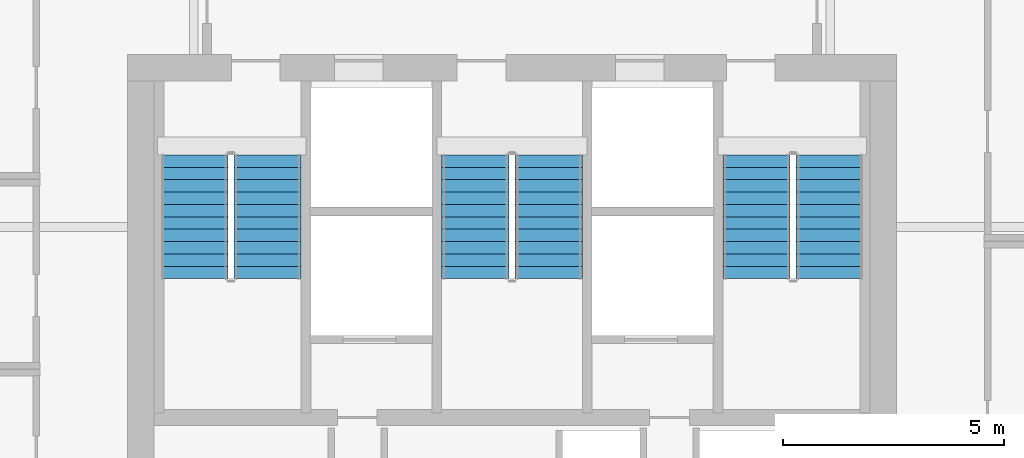
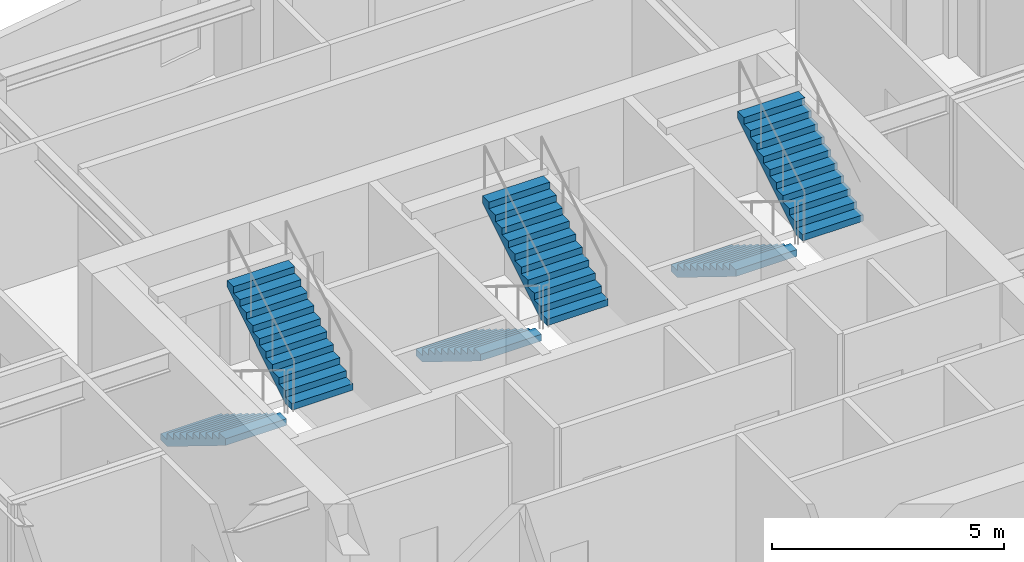
# One storey, part 9 of 10: 6 stair flights, 3 elements without a shape of their own.
"""IFC4 building model written with IfcOpenShell, lengths in metres."""

import ifcopenshell
import ifcopenshell.guid

model = None  # the IFC model being written
_history = None  # IfcOwnerHistory: only IFC2X3 demands one
_inside = {}  # id of a spatial element -> (the spatial element, [elements in it])
_under = {}  # id of a project, library or spatial element -> (it, [spatial elements below it])
_declared = {}  # id of a project -> (the project, [libraries it declares])
_typed = {}  # id of a type object -> (the type object, [elements of that type])
_made_of = {}  # id of a material, layer set ... -> (it, [elements and type objects made of it])


def new_model(schema):
    """Start an empty IFC model of exactly this schema.

    Asked for "IFC4X3", IfcOpenShell would pick the latest addendum, in which some entities
    have other attributes; the version numbers below select the first issue.
    IFC2X3 requires an IfcOwnerHistory on every rooted entity: one is made here for all.
    """
    global model, _history
    if schema == "IFC4X3":
        model = ifcopenshell.file(schema_version=(4, 3, 0, 0))
    else:
        model = ifcopenshell.file(schema=schema)
    _inside.clear()
    _under.clear()
    _declared.clear()
    _typed.clear()
    _made_of.clear()
    _history = None
    if model.schema == "IFC2X3":
        org = make("IfcOrganization", Name="unknown")
        user = make(
            "IfcPersonAndOrganization",
            ThePerson=make("IfcPerson", FamilyName="unknown"),
            TheOrganization=org,
        )
        app = make(
            "IfcApplication",
            ApplicationDeveloper=org,
            Version="unknown",
            ApplicationFullName="unknown",
            ApplicationIdentifier="unknown",
        )
        _history = make(
            "IfcOwnerHistory",
            OwningUser=user,
            OwningApplication=app,
            ChangeAction="ADDED",
            CreationDate=0,
        )
    return model


def make(cls, **values):
    """One entity of the class cls with the attributes given. An attribute that is None is left unset."""
    return model.create_entity(
        cls, **{name: value for name, value in values.items() if value is not None}
    )


def rooted(cls, **values):
    """An entity with a GlobalId (a new one), such as an element, a storey or a relation."""
    return make(cls, GlobalId=ifcopenshell.guid.new(), OwnerHistory=_history, **values)


def si_unit(unit_type, name, prefix=None):
    """IfcSIUnit, for example si_unit("LENGTHUNIT", "METRE", prefix="MILLI")."""
    return make("IfcSIUnit", UnitType=unit_type, Prefix=prefix, Name=name)


def assignment(units):
    """IfcUnitAssignment: the units of a project."""
    return None if units is None else make("IfcUnitAssignment", Units=units)


def point(xyz):
    """IfcCartesianPoint."""
    return None if xyz is None else make("IfcCartesianPoint", Coordinates=xyz)


def direction(xyz):
    """IfcDirection."""
    return None if xyz is None else make("IfcDirection", DirectionRatios=xyz)


def frame(location, z_axis=None, x_axis=None):
    """IfcAxis2Placement3D, a coordinate frame: its origin and axes. An axis left out is left unset."""
    return make(
        "IfcAxis2Placement3D",
        Location=point(location),
        Axis=direction(z_axis),
        RefDirection=direction(x_axis),
    )


def origin():
    """The frame at (0, 0, 0) with its axes left unset."""
    return frame((0.0, 0.0, 0.0))


def place(relative_to, where):
    """IfcLocalPlacement: puts the frame where relative to a parent placement (None: the world)."""
    return make(
        "IfcLocalPlacement", PlacementRelTo=relative_to, RelativePlacement=where
    )


def context(
    kind, dimensions, precision=None, world=None, true_north=None, identifier=None
):
    """IfcGeometricRepresentationContext, for example the 3D "Model" context."""
    return make(
        "IfcGeometricRepresentationContext",
        ContextIdentifier=identifier,
        ContextType=kind,
        CoordinateSpaceDimension=dimensions,
        Precision=precision,
        WorldCoordinateSystem=world,
        TrueNorth=true_north,
    )


def subcontext(parent, identifier, kind, view, scale=None):
    """IfcGeometricRepresentationSubContext, for example "Body" below "Model"."""
    return make(
        "IfcGeometricRepresentationSubContext",
        ContextIdentifier=identifier,
        ContextType=kind,
        ParentContext=parent,
        TargetScale=scale,
        TargetView=view,
    )


def project(units=None, contexts=None):
    """IfcProject with its units and contexts."""
    return rooted(
        "IfcProject",
        Name="project",
        RepresentationContexts=contexts,
        UnitsInContext=assignment(units),
    )


def spatial(cls, under=None, at=None, **own):
    """A site, building, storey or space (cls), placed at a placement, below another one or the project."""
    s = rooted(cls, ObjectPlacement=at, **own)
    if under is not None:
        _under.setdefault(under.id(), (under, []))[1].append(s)
    return s


def polyline(points):
    """IfcPolyline through the points."""
    return make("IfcPolyline", Points=[point(p) for p in points])


def outline(outer, holes=None, kind="AREA"):
    """IfcArbitraryClosedProfileDef: a profile drawn as a closed curve; with holes, ...WithVoids."""
    if holes is None:
        return make("IfcArbitraryClosedProfileDef", ProfileType=kind, OuterCurve=outer)
    return make(
        "IfcArbitraryProfileDefWithVoids",
        ProfileType=kind,
        OuterCurve=outer,
        InnerCurves=holes,
    )


def extrude(swept, where, along, depth):
    """IfcExtrudedAreaSolid: the profile swept, set in the frame where, extruded along a direction by depth."""
    return make(
        "IfcExtrudedAreaSolid",
        SweptArea=swept,
        Position=where,
        ExtrudedDirection=direction(along),
        Depth=depth,
    )


def shape(context_of_items, identifier, shape_type, items):
    """IfcShapeRepresentation: the items that make up one representation, for example the "Body"."""
    return make(
        "IfcShapeRepresentation",
        ContextOfItems=context_of_items,
        RepresentationIdentifier=identifier,
        RepresentationType=shape_type,
        Items=items,
    )


def material(Name=None, Category=None):
    """IfcMaterial."""
    return make("IfcMaterial", Name=Name, Category=Category)


def made_of(thing, what):
    """Note that an element or type object is made of a material, layer set ...; save() writes the relation."""
    if what is not None:
        _made_of.setdefault(what.id(), (what, []))[1].append(thing)
    return thing


def type_object(cls, material=None, **own):
    """A type object (cls), such as IfcWallType, which elements share."""
    return made_of(rooted(cls, **own), material)


def element(
    cls,
    number,
    at=None,
    inside=None,
    cuts=None,
    type_object=None,
    material=None,
    context=None,
    identifier="Body",
    shape_type=None,
    held_by="IfcProductDefinitionShape",
    body=None,
    shapes=None,
    **own,
):
    """One element of the class cls, such as IfcWall. Its Tag is "e" and its number.

    at: its placement. inside: the storey or other place that contains it. cuts: it is an
    opening in that element (IfcRelVoidsElement). A single representation is given by context,
    identifier, shape_type and body (its items); several are given by shapes. held_by: the class
    of the entity that holds the representations. save() writes the other relations.
    """
    e = rooted(cls, Tag="e%d" % number, ObjectPlacement=at, **own)
    if body is not None:
        shapes = [shape(context, identifier, shape_type, body)]
    if shapes is not None:
        e.Representation = make(held_by, Representations=shapes)
    if inside is not None:
        _inside.setdefault(inside.id(), (inside, []))[1].append(e)
    if cuts is not None:
        rooted(
            "IfcRelVoidsElement", RelatingBuildingElement=cuts, RelatedOpeningElement=e
        )
    if type_object is not None:
        _typed.setdefault(type_object.id(), (type_object, []))[1].append(e)
    return made_of(e, material)


def aggregate(whole, parts):
    """IfcRelAggregates: a whole, such as a stair, and the parts it consists of."""
    return rooted("IfcRelAggregates", RelatingObject=whole, RelatedObjects=parts)


def save(model, path):
    """Write the relations noted so far, then the file.

    IfcRelAggregates (storeys below a building ...), IfcRelContainedInSpatialStructure (elements
    in a storey), IfcRelDefinesByType, IfcRelAssociatesMaterial and IfcRelDeclares: one each for
    every whole, place, type object, material and project.
    """
    for whole, parts in _under.values():
        aggregate(whole, parts)
    for where, things in _inside.values():
        rooted(
            "IfcRelContainedInSpatialStructure",
            RelatedElements=things,
            RelatingStructure=where,
        )
    for kind, things in _typed.values():
        rooted("IfcRelDefinesByType", RelatedObjects=things, RelatingType=kind)
    for what, things in _made_of.values():
        rooted("IfcRelAssociatesMaterial", RelatedObjects=things, RelatingMaterial=what)
    for by, libraries in _declared.values():
        rooted("IfcRelDeclares", RelatingContext=by, RelatedDefinitions=libraries)
    model.write(path)


model = new_model("IFC4")

# Units and contexts
model_context = context("Model", 3, precision=1e-05, world=origin(), true_north=direction((0.0, 1.0)))
body_context = subcontext(model_context, "Body", "Model", "MODEL_VIEW")
ifc_project = project(units=[si_unit("LENGTHUNIT", "METRE"), si_unit("AREAUNIT", "SQUARE_METRE"), si_unit("VOLUMEUNIT", "CUBIC_METRE"), si_unit("PLANEANGLEUNIT", "RADIAN"), si_unit("MASSUNIT", "GRAM", prefix="KILO")], contexts=[model_context])

# Site, building, storey
site_placement = place(None, origin())
site = spatial("IfcSite", under=ifc_project, at=site_placement, CompositionType="ELEMENT")
building_placement = place(site_placement, origin())
building = spatial("IfcBuilding", under=site, at=building_placement, Name="Haolan Belvedere Tower", CompositionType="ELEMENT")
storey_placement = place(building_placement, frame((0.0, 0.0, 176.60009765625)))
storey = spatial("IfcBuildingStorey", under=building, at=storey_placement, Name="L44", CompositionType="ELEMENT", Elevation=176.60009765625)

# Stair, stair flights
ifc_material = material(Name="Concrete C40/50", Category="concrete")
stair_type = type_object("IfcStairType", Name="STR-DL-22R-173", PredefinedType="HALF_TURN_STAIR", material=ifc_material)
stair_1_placement = place(storey_placement, origin())
stair_1 = element("IfcStair", 1, at=stair_1_placement, inside=storey, type_object=stair_type, Name="L44 Smokeproof Core Exit Stair ST1", PredefinedType="HALF_TURN_STAIR")
stair_flight_type = type_object("IfcStairFlightType", Name="SFL-DL-11R-173", PredefinedType="STRAIGHT", material=ifc_material)
stair_flight_1_placement = place(storey_placement, frame((31.2099609375, 41.22998046875, 0.0), z_axis=(0.0, 0.0, 1.0), x_axis=(0.0, -1.0, 0.0)))
stair_flight_1 = element("IfcStairFlight", 2, at=stair_flight_1_placement, type_object=stair_flight_type, Name="ST1 flight 1", NumberOfRisers=11, NumberOfTreads=10, PredefinedType="STRAIGHT", RiserHeight=0.172727273, TreadLength=0.28, context=body_context, shape_type="SweptSolid", body=[
    extrude(outline(polyline([(0.0, 0.0), (0.0, 0.172607421875), (0.280029296875, 0.172607421875), (0.280029296875, 0.345458984375), (0.56005859375, 0.345458984375), (0.56005859375, 0.51806640625), (0.840087890625, 0.51806640625), (0.840087890625, 0.69091796875), (1.1201171875, 0.69091796875), (1.1201171875, 0.863525390625), (1.39990234375, 0.863525390625), (1.39990234375, 1.036376953125), (1.679931640625, 1.036376953125), (1.679931640625, 1.208984375), (1.9599609375, 1.208984375), (1.9599609375, 1.3818359375), (2.239990234375, 1.3818359375), (2.239990234375, 1.554443359375), (2.52001953125, 1.554443359375), (2.52001953125, 1.727294921875), (2.800048828125, 1.727294921875), (2.800048828125, 1.89990234375), (2.800048828125, 1.551025390625), (0.285400390625, 0.0), (0.0, 0.0)])), frame((0.0, 0.760009765625, 0.0), z_axis=(0.0, -1.0, 0.0), x_axis=(1.0, 0.0, 0.0)), (0.0, 0.0, 1.0), 1.52001953125),
])
stair_flight_2_placement = place(storey_placement, frame((32.8701171875, 38.429931640625, 1.89990234375), z_axis=(0.0, 0.0, 1.0), x_axis=(0.0, 1.0, 0.0)))
stair_flight_2 = element("IfcStairFlight", 3, at=stair_flight_2_placement, type_object=stair_flight_type, Name="ST1 flight 2", NumberOfRisers=11, NumberOfTreads=10, PredefinedType="STRAIGHT", RiserHeight=0.172727273, TreadLength=0.28, context=body_context, shape_type="SweptSolid", body=[
    extrude(outline(polyline([(0.0, 0.0), (0.0, 0.172607421875), (0.280029296875, 0.172607421875), (0.280029296875, 0.345458984375), (0.56005859375, 0.345458984375), (0.56005859375, 0.51806640625), (0.840087890625, 0.51806640625), (0.840087890625, 0.69091796875), (1.1201171875, 0.69091796875), (1.1201171875, 0.863525390625), (1.39990234375, 0.863525390625), (1.39990234375, 1.036376953125), (1.679931640625, 1.036376953125), (1.679931640625, 1.208984375), (1.9599609375, 1.208984375), (1.9599609375, 1.3818359375), (2.239990234375, 1.3818359375), (2.239990234375, 1.554443359375), (2.52001953125, 1.554443359375), (2.52001953125, 1.727294921875), (2.800048828125, 1.727294921875), (2.800048828125, 1.89990234375), (2.800048828125, 1.551025390625), (0.285400390625, 0.0), (0.0, 0.0)])), frame((0.0, 0.760009765625, 0.0), z_axis=(0.0, -1.0, 0.0), x_axis=(1.0, 0.0, 0.0)), (0.0, 0.0, 1.0), 1.52001953125),
])
aggregate(stair_1, [stair_flight_1, stair_flight_2])

stair_2_placement = place(storey_placement, origin())
stair_2 = element("IfcStair", 4, at=stair_2_placement, inside=storey, type_object=stair_type, Name="L44 Smokeproof Core Exit Stair ST3", PredefinedType="HALF_TURN_STAIR")
stair_flight_3_placement = place(storey_placement, frame((37.570068359375, 41.22998046875, 0.0), z_axis=(0.0, 0.0, 1.0), x_axis=(0.0, -1.0, 0.0)))
stair_flight_3 = element("IfcStairFlight", 5, at=stair_flight_3_placement, type_object=stair_flight_type, Name="ST3 flight 1", NumberOfRisers=11, NumberOfTreads=10, PredefinedType="STRAIGHT", RiserHeight=0.172727273, TreadLength=0.28, context=body_context, shape_type="SweptSolid", body=[
    extrude(outline(polyline([(0.0, 0.0), (0.0, 0.172607421875), (0.280029296875, 0.172607421875), (0.280029296875, 0.345458984375), (0.56005859375, 0.345458984375), (0.56005859375, 0.51806640625), (0.840087890625, 0.51806640625), (0.840087890625, 0.69091796875), (1.1201171875, 0.69091796875), (1.1201171875, 0.863525390625), (1.39990234375, 0.863525390625), (1.39990234375, 1.036376953125), (1.679931640625, 1.036376953125), (1.679931640625, 1.208984375), (1.9599609375, 1.208984375), (1.9599609375, 1.3818359375), (2.239990234375, 1.3818359375), (2.239990234375, 1.554443359375), (2.52001953125, 1.554443359375), (2.52001953125, 1.727294921875), (2.800048828125, 1.727294921875), (2.800048828125, 1.89990234375), (2.800048828125, 1.551025390625), (0.285400390625, 0.0), (0.0, 0.0)])), frame((0.0, 0.760009765625, 0.0), z_axis=(0.0, -1.0, 0.0), x_axis=(1.0, 0.0, 0.0)), (0.0, 0.0, 1.0), 1.52001953125),
])
stair_flight_4_placement = place(storey_placement, frame((39.22998046875, 38.429931640625, 1.89990234375), z_axis=(0.0, 0.0, 1.0), x_axis=(0.0, 1.0, 0.0)))
stair_flight_4 = element("IfcStairFlight", 6, at=stair_flight_4_placement, type_object=stair_flight_type, Name="ST3 flight 2", NumberOfRisers=11, NumberOfTreads=10, PredefinedType="STRAIGHT", RiserHeight=0.172727273, TreadLength=0.28, context=body_context, shape_type="SweptSolid", body=[
    extrude(outline(polyline([(0.0, 0.0), (0.0, 0.172607421875), (0.280029296875, 0.172607421875), (0.280029296875, 0.345458984375), (0.56005859375, 0.345458984375), (0.56005859375, 0.51806640625), (0.840087890625, 0.51806640625), (0.840087890625, 0.69091796875), (1.1201171875, 0.69091796875), (1.1201171875, 0.863525390625), (1.39990234375, 0.863525390625), (1.39990234375, 1.036376953125), (1.679931640625, 1.036376953125), (1.679931640625, 1.208984375), (1.9599609375, 1.208984375), (1.9599609375, 1.3818359375), (2.239990234375, 1.3818359375), (2.239990234375, 1.554443359375), (2.52001953125, 1.554443359375), (2.52001953125, 1.727294921875), (2.800048828125, 1.727294921875), (2.800048828125, 1.89990234375), (2.800048828125, 1.551025390625), (0.285400390625, 0.0), (0.0, 0.0)])), frame((0.0, 0.760009765625, 0.0), z_axis=(0.0, -1.0, 0.0), x_axis=(1.0, 0.0, 0.0)), (0.0, 0.0, 1.0), 1.52001953125),
])
aggregate(stair_2, [stair_flight_3, stair_flight_4])

stair_3_placement = place(storey_placement, origin())
stair_3 = element("IfcStair", 7, at=stair_3_placement, inside=storey, type_object=stair_type, Name="L44 Smokeproof Core Exit Stair ST2", PredefinedType="HALF_TURN_STAIR")
stair_flight_5_placement = place(storey_placement, frame((43.929931640625, 41.22998046875, 0.0), z_axis=(0.0, 0.0, 1.0), x_axis=(0.0, -1.0, 0.0)))
stair_flight_5 = element("IfcStairFlight", 8, at=stair_flight_5_placement, type_object=stair_flight_type, Name="ST2 flight 1", NumberOfRisers=11, NumberOfTreads=10, PredefinedType="STRAIGHT", RiserHeight=0.172727273, TreadLength=0.28, context=body_context, shape_type="SweptSolid", body=[
    extrude(outline(polyline([(0.0, 0.0), (0.0, 0.172607421875), (0.280029296875, 0.172607421875), (0.280029296875, 0.345458984375), (0.56005859375, 0.345458984375), (0.56005859375, 0.51806640625), (0.840087890625, 0.51806640625), (0.840087890625, 0.69091796875), (1.1201171875, 0.69091796875), (1.1201171875, 0.863525390625), (1.39990234375, 0.863525390625), (1.39990234375, 1.036376953125), (1.679931640625, 1.036376953125), (1.679931640625, 1.208984375), (1.9599609375, 1.208984375), (1.9599609375, 1.3818359375), (2.239990234375, 1.3818359375), (2.239990234375, 1.554443359375), (2.52001953125, 1.554443359375), (2.52001953125, 1.727294921875), (2.800048828125, 1.727294921875), (2.800048828125, 1.89990234375), (2.800048828125, 1.551025390625), (0.285400390625, 0.0), (0.0, 0.0)])), frame((0.0, 0.760009765625, 0.0), z_axis=(0.0, -1.0, 0.0), x_axis=(1.0, 0.0, 0.0)), (0.0, 0.0, 1.0), 1.52001953125),
])
stair_flight_6_placement = place(storey_placement, frame((45.590087890625, 38.429931640625, 1.89990234375), z_axis=(0.0, 0.0, 1.0), x_axis=(0.0, 1.0, 0.0)))
stair_flight_6 = element("IfcStairFlight", 9, at=stair_flight_6_placement, type_object=stair_flight_type, Name="ST2 flight 2", NumberOfRisers=11, NumberOfTreads=10, PredefinedType="STRAIGHT", RiserHeight=0.172727273, TreadLength=0.28, context=body_context, shape_type="SweptSolid", body=[
    extrude(outline(polyline([(0.0, 0.0), (0.0, 0.172607421875), (0.280029296875, 0.172607421875), (0.280029296875, 0.345458984375), (0.56005859375, 0.345458984375), (0.56005859375, 0.51806640625), (0.840087890625, 0.51806640625), (0.840087890625, 0.69091796875), (1.1201171875, 0.69091796875), (1.1201171875, 0.863525390625), (1.39990234375, 0.863525390625), (1.39990234375, 1.036376953125), (1.679931640625, 1.036376953125), (1.679931640625, 1.208984375), (1.9599609375, 1.208984375), (1.9599609375, 1.3818359375), (2.239990234375, 1.3818359375), (2.239990234375, 1.554443359375), (2.52001953125, 1.554443359375), (2.52001953125, 1.727294921875), (2.800048828125, 1.727294921875), (2.800048828125, 1.89990234375), (2.800048828125, 1.551025390625), (0.285400390625, 0.0), (0.0, 0.0)])), frame((0.0, 0.760009765625, 0.0), z_axis=(0.0, -1.0, 0.0), x_axis=(1.0, 0.0, 0.0)), (0.0, 0.0, 1.0), 1.52001953125),
])
aggregate(stair_3, [stair_flight_5, stair_flight_6])

save(model, "model.ifc")
